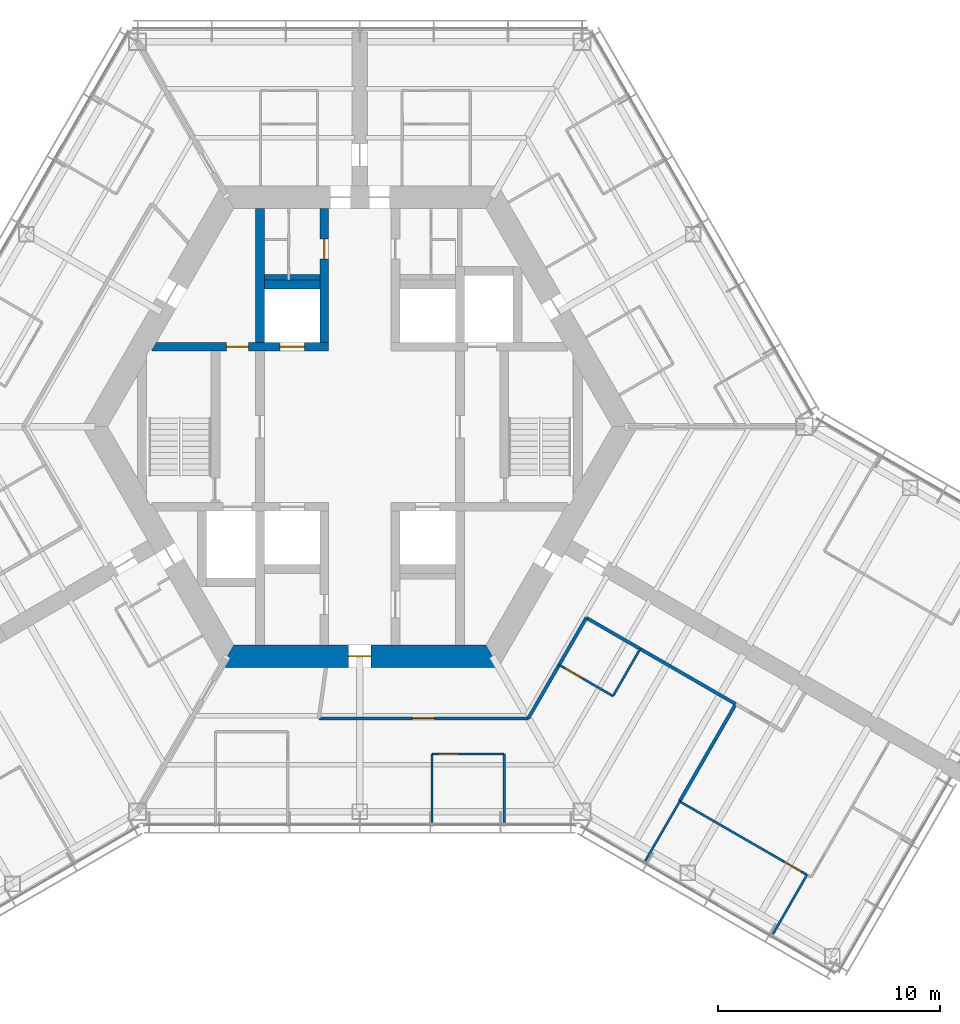
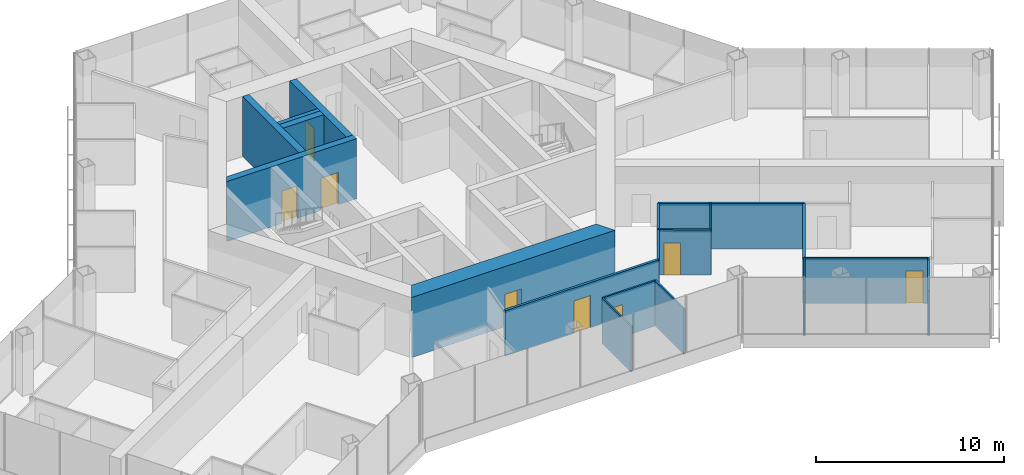
# One storey, part 13 of 19: 20 walls, 8 doors, 8 openings.
"""IFC4 building model written with IfcOpenShell, lengths in metres."""

from ifc_helpers import new_model, si_unit, direction, frame, frame_2d, origin, place, context, subcontext, project, spatial, polyline, rectangle, outline, extrude, material, layer, layer_set, type_object, element, fill, save


model = new_model("IFC4")

# Units and contexts
model_context = context("Model", 3, precision=1e-05, world=origin(), true_north=direction((0.0, 1.0)))
body_context = subcontext(model_context, "Body", "Model", "MODEL_VIEW")
ifc_project = project(units=[si_unit("LENGTHUNIT", "METRE"), si_unit("AREAUNIT", "SQUARE_METRE"), si_unit("VOLUMEUNIT", "CUBIC_METRE"), si_unit("PLANEANGLEUNIT", "RADIAN"), si_unit("MASSUNIT", "GRAM", prefix="KILO")], contexts=[model_context])

# Site, building, storey
site_placement = place(None, origin())
site = spatial("IfcSite", under=ifc_project, at=site_placement, CompositionType="ELEMENT")
building_placement = place(site_placement, origin())
building = spatial("IfcBuilding", under=site, at=building_placement, Name="Kasaneha Research Tower", CompositionType="ELEMENT")
storey_placement = place(building_placement, frame((0.0, 0.0, 160.39990234375)))
storey = spatial("IfcBuildingStorey", under=building, at=storey_placement, Name="L40", CompositionType="ELEMENT", Elevation=160.39990234375)

# Wall, openings, doors
ifc_material_1 = material(Name="Concrete Fc70", Category="concrete")
ifc_layer_1 = layer(ifc_material_1, 0.39990234375)
ifc_layer_set_1 = layer_set([ifc_layer_1], Name="Core internal wall 400 Fc70")
wall_type_1 = type_object("IfcWallType", Name="Core internal wall 400 Fc70", PredefinedType="SHEAR", material=ifc_layer_set_1)
wall_1_placement = place(storey_placement, frame((-9.266357421875, 3.60009765625, 0.0), z_axis=(0.0, 0.0, 1.0), x_axis=(1.0, 0.0, 0.0)))
wall_1 = element("IfcWall", 1, at=wall_1_placement, inside=storey, type_object=wall_type_1, Name="Core wall W1W L40", PredefinedType="SHEAR", context=body_context, shape_type="SweptSolid", body=[
    extrude(outline(polyline([(-0.115478515625, -0.199951171875), (3.266357421875, -0.199951171875), (4.266357421875, -0.199951171875), (5.66650390625, -0.199951171875), (6.7666015625, -0.199951171875), (7.866455078125, -0.199951171875), (7.866455078125, 0.199951171875), (6.7666015625, 0.199951171875), (5.66650390625, 0.199951171875), (4.266357421875, 0.199951171875), (3.266357421875, 0.199951171875), (0.115478515625, 0.199951171875), (-0.115478515625, -0.199951171875)])), origin(), (0.0, 0.0, 1.0), 3.900146484375),
])
opening_1_placement = place(wall_1_placement, frame((3.266357421875, 0.0, 0.0)))
opening_1 = element("IfcOpeningElement", 2, at=opening_1_placement, cuts=wall_1, Name="Opening L40-D12", PredefinedType="OPENING", context=body_context, shape_type="SweptSolid", body=[
    extrude(rectangle(XDim=1.0, YDim=2.10009765625, at=frame_2d((0.5, 1.050048828125))), frame((0.0, 0.2099609375, 0.0), z_axis=(0.0, -1.0, 0.0), x_axis=(1.0, 0.0, 0.0)), (0.0, 0.0, 1.0), 0.419921875),
])
opening_2_placement = place(wall_1_placement, frame((5.66650390625, 0.0, 0.0)))
opening_2 = element("IfcOpeningElement", 3, at=opening_2_placement, cuts=wall_1, Name="Opening LD-LM1-L40", PredefinedType="OPENING", context=body_context, shape_type="SweptSolid", body=[
    extrude(rectangle(XDim=1.10009765625, YDim=2.10009765625, at=frame_2d((0.550048828125, 1.050048828125))), frame((0.0, 0.2099609375, 0.0), z_axis=(0.0, -1.0, 0.0), x_axis=(1.0, 0.0, 0.0)), (0.0, 0.0, 1.0), 0.419921875),
])
ifc_material_2 = material(Name="Steel", Category="steel")
door_type_1 = type_object("IfcDoorType", Name="Lift landing door 1100x2100", OperationType="DOUBLE_DOOR_SLIDING", PredefinedType="DOOR", material=ifc_material_2)
door_1_placement = place(opening_2_placement, origin())
door_1 = element("IfcDoor", 4, at=door_1_placement, inside=storey, type_object=door_type_1, Name="Landing door LM1 LD-LM1-L40", OperationType="DOUBLE_DOOR_SLIDING", OverallHeight=2.10009765625, OverallWidth=1.10009765625, PredefinedType="DOOR", context=body_context, shape_type="SweptSolid", body=[
    extrude(rectangle(XDim=1.10009765625, YDim=2.10009765625, at=frame_2d((0.550048828125, 1.050048828125))), frame((0.0, 0.02490234375, 0.0), z_axis=(0.0, -1.0, 0.0), x_axis=(1.0, 0.0, 0.0)), (0.0, 0.0, 1.0), 0.050048828125),
])
fill(opening_2, door_1)
ifc_material_3 = material(Name="Steel", Category="steel")
door_type_2 = type_object("IfcDoorType", Name="Specified fire door FD60 1000x2100", OperationType="NOTDEFINED", PredefinedType="DOOR", material=ifc_material_3)
door_2_placement = place(opening_1_placement, origin())
door_2 = element("IfcDoor", 5, at=door_2_placement, inside=storey, type_object=door_type_2, Name="Vestibule to lobby door L40-D12", OperationType="SINGLE_SWING_LEFT", OverallHeight=2.10009765625, OverallWidth=1.0, PredefinedType="DOOR", context=body_context, shape_type="SweptSolid", body=[
    extrude(rectangle(XDim=1.0, YDim=2.10009765625, at=frame_2d((0.5, 1.050048828125))), frame((0.0, 0.02490234375, 0.0), z_axis=(0.0, -1.0, 0.0), x_axis=(1.0, 0.0, 0.0)), (0.0, 0.0, 1.0), 0.050048828125),
])
fill(opening_1, door_2)

# Wall, opening, door
wall_2_placement = place(storey_placement, frame((-1.60009765625, 3.800048828125, 0.0), z_axis=(0.0, 0.0, 1.0), x_axis=(0.0, 1.0, 0.0)))
wall_2 = element("IfcWall", 6, at=wall_2_placement, inside=storey, type_object=wall_type_1, Name="Core wall CNW L40", PredefinedType="SHEAR", context=body_context, shape_type="SweptSolid", body=[
    extrude(rectangle(XDim=6.02490234375, YDim=0.39990234375, at=frame_2d((3.012451171875, 0.0))), origin(), (0.0, 0.0, 1.0), 3.900146484375),
])
opening_3_placement = place(wall_2_placement, frame((3.75, 0.0, 0.0)))
opening_3 = element("IfcOpeningElement", 7, at=opening_3_placement, cuts=wall_2, Name="Opening L40-D13", PredefinedType="OPENING", context=body_context, shape_type="SweptSolid", body=[
    extrude(rectangle(XDim=0.89990234375, YDim=2.10009765625, at=frame_2d((0.449951171875, 1.050048828125))), frame((0.0, 0.2099609375, 0.0), z_axis=(0.0, -1.0, 0.0), x_axis=(1.0, 0.0, 0.0)), (0.0, 0.0, 1.0), 0.419921875),
])
ifc_material_4 = material(Name="Steel", Category="steel")
door_type_3 = type_object("IfcDoorType", Name="Toilet door FD20 900x2100", OperationType="NOTDEFINED", PredefinedType="DOOR", material=ifc_material_4)
door_3_placement = place(opening_3_placement, origin())
door_3 = element("IfcDoor", 8, at=door_3_placement, inside=storey, type_object=door_type_3, Name="Men's WC door L40-D13", OperationType="SINGLE_SWING_LEFT", OverallHeight=2.10009765625, OverallWidth=0.89990234375, PredefinedType="DOOR", context=body_context, shape_type="SweptSolid", body=[
    extrude(rectangle(XDim=0.89990234375, YDim=2.10009765625, at=frame_2d((0.449951171875, 1.050048828125))), frame((0.0, 0.02490234375, 0.0), z_axis=(0.0, -1.0, 0.0), x_axis=(1.0, 0.0, 0.0)), (0.0, 0.0, 1.0), 0.050048828125),
])
fill(opening_3, door_3)

# Walls
wall_3_placement = place(storey_placement, frame((-4.5, 3.800048828125, 0.0), z_axis=(0.0, 0.0, 1.0), x_axis=(0.0, 1.0, 0.0)))
element("IfcWall", 9, at=wall_3_placement, inside=storey, type_object=wall_type_1, Name="Core wall VNW L40", PredefinedType="SHEAR", context=body_context, shape_type="SweptSolid", body=[
    extrude(rectangle(XDim=6.02490234375, YDim=0.39990234375, at=frame_2d((3.012451171875, 0.0))), origin(), (0.0, 0.0, 1.0), 3.900146484375),
])
wall_4_placement = place(storey_placement, frame((-4.300048828125, 6.39990234375, 0.0), z_axis=(0.0, 0.0, 1.0), x_axis=(1.0, 0.0, 0.0)))
element("IfcWall", 10, at=wall_4_placement, inside=storey, type_object=wall_type_1, Name="Core wall N1N L40", PredefinedType="SHEAR", context=body_context, shape_type="SweptSolid", body=[
    extrude(rectangle(XDim=2.5, YDim=0.39990234375, at=frame_2d((1.25, 0.0))), origin(), (0.0, 0.0, 1.0), 3.900146484375),
])

# Wall, opening, door
ifc_material_5 = material(Name="Concrete Fc70", Category="concrete")
ifc_layer_2 = layer(ifc_material_5, 1.0)
ifc_layer_set_2 = layer_set([ifc_layer_2], Name="Core wall 1000 Fc70")
wall_type_2 = type_object("IfcWallType", Name="Core wall 1000 Fc70", PredefinedType="SHEAR", material=ifc_layer_set_2)
wall_5_placement = place(storey_placement, frame((-5.961181640625, -10.324951171875, 0.0), z_axis=(0.0, 0.0, 1.0), x_axis=(1.0, 0.0, 0.0)))
wall_5 = element("IfcWall", 11, at=wall_5_placement, inside=storey, type_object=wall_type_2, Name="Core wall 270 L40", PredefinedType="SHEAR", context=body_context, shape_type="SweptSolid", body=[
    extrude(outline(polyline([(-0.28857421875, -0.5), (5.461181640625, -0.5), (6.461181640625, -0.5), (12.2109375, -0.5), (11.6337890625, 0.5), (6.461181640625, 0.5), (5.461181640625, 0.5), (0.28857421875, 0.5), (-0.28857421875, -0.5)])), origin(), (0.0, 0.0, 1.0), 3.900146484375),
])
opening_4_placement = place(wall_5_placement, frame((5.461181640625, 0.0, 0.0)))
opening_4 = element("IfcOpeningElement", 12, at=opening_4_placement, cuts=wall_5, Name="Opening L40-D03", PredefinedType="OPENING", context=body_context, shape_type="SweptSolid", body=[
    extrude(rectangle(XDim=1.0, YDim=2.10009765625, at=frame_2d((0.5, 1.050048828125))), frame((0.0, 0.510009765625, 0.0), z_axis=(0.0, -1.0, 0.0), x_axis=(1.0, 0.0, 0.0)), (0.0, 0.0, 1.0), 1.02001953125),
])
ifc_material_6 = material(Name="Steel", Category="steel")
door_type_4 = type_object("IfcDoorType", Name="Fire door FD20 1000x2100", OperationType="NOTDEFINED", PredefinedType="DOOR", material=ifc_material_6)
door_4_placement = place(opening_4_placement, origin())
door_4 = element("IfcDoor", 13, at=door_4_placement, inside=storey, type_object=door_type_4, Name="Core door south L40-D03", OperationType="SINGLE_SWING_LEFT", OverallHeight=2.10009765625, OverallWidth=1.0, PredefinedType="DOOR", context=body_context, shape_type="SweptSolid", body=[
    extrude(rectangle(XDim=1.0, YDim=2.10009765625, at=frame_2d((0.5, 1.050048828125))), frame((0.0, 0.02490234375, 0.0), z_axis=(0.0, -1.0, 0.0), x_axis=(1.0, 0.0, 0.0)), (0.0, 0.0, 1.0), 0.050048828125),
])
fill(opening_4, door_4)

ifc_material_7 = material(Name="Gypsum board on steel studs, one layer each side", Category="steel")
ifc_layer_3 = layer(ifc_material_7, 0.10009765625)
ifc_layer_set_3 = layer_set([ifc_layer_3], Name="Office partition 100")
wall_type_3 = type_object("IfcWallType", Name="Office partition 100", PredefinedType="PARTITIONING", material=ifc_layer_set_3)
wall_6_placement = place(storey_placement, frame((11.3916015625, -12.119384765625, 0.0), z_axis=(0.0, 0.0, 1.0), x_axis=(-0.865255114713, 0.501331812737, 0.0)))
wall_6 = element("IfcWall", 14, at=wall_6_placement, inside=storey, type_object=wall_type_3, Name="Office partition FCS09 L40", PredefinedType="PARTITIONING", context=body_context, shape_type="SweptSolid", body=[
    extrude(rectangle(XDim=2.800048828125, YDim=0.10009765625, at=frame_2d((1.39990234375, 0.0))), origin(), (0.0, 0.0, 1.0), 2.9501953125),
])
opening_5_placement = place(wall_6_placement, frame((1.60009765625, 0.0, 0.0)))
opening_5 = element("IfcOpeningElement", 15, at=opening_5_placement, cuts=wall_6, Name="Opening L40-D49", PredefinedType="OPENING", context=body_context, shape_type="SweptSolid", body=[
    extrude(rectangle(XDim=0.89990234375, YDim=2.10009765625, at=frame_2d((0.449951171875, 1.050048828125))), frame((0.0, 0.06005859375, 0.0), z_axis=(0.0, -1.0, 0.0), x_axis=(1.0, 0.0, 0.0)), (0.0, 0.0, 1.0), 0.1201171875),
])
ifc_material_8 = material(Name="Timber veneer", Category="wood")
door_type_5 = type_object("IfcDoorType", Name="Office door 900x2100", OperationType="SINGLE_SWING_LEFT", PredefinedType="DOOR", material=ifc_material_8)
door_5_placement = place(opening_5_placement, origin())
door_5 = element("IfcDoor", 16, at=door_5_placement, inside=storey, type_object=door_type_5, Name="Pantry door L40-D49", OperationType="SINGLE_SWING_RIGHT", OverallHeight=2.10009765625, OverallWidth=0.89990234375, PredefinedType="DOOR", context=body_context, shape_type="SweptSolid", body=[
    extrude(rectangle(XDim=0.89990234375, YDim=2.10009765625, at=frame_2d((0.449951171875, 1.050048828125))), frame((0.0, 0.02490234375, 0.0), z_axis=(0.0, -1.0, 0.0), x_axis=(1.0, 0.0, 0.0)), (0.0, 0.0, 1.0), 0.050048828125),
])
fill(opening_5, door_5)

# Walls
wall_7_placement = place(storey_placement, frame((12.612548828125, -9.995361328125, 0.0), z_axis=(0.0, 0.0, 1.0), x_axis=(-0.498358783585, -0.86697088926, 0.0)))
element("IfcWall", 17, at=wall_7_placement, inside=storey, type_object=wall_type_3, Name="Office partition FCS10 L40", PredefinedType="PARTITIONING", context=body_context, shape_type="SweptSolid", body=[
    extrude(rectangle(XDim=2.449951171875, YDim=0.10009765625, at=frame_2d((1.22509765625, 0.0))), origin(), (0.0, 0.0, 1.0), 2.9501953125),
])
wall_8_placement = place(storey_placement, frame((20.1201171875, -20.1611328125, 0.0), z_axis=(0.0, 0.0, 1.0), x_axis=(-0.498424956379, -0.866932847952, 0.0)))
element("IfcWall", 18, at=wall_8_placement, inside=storey, type_object=wall_type_3, Name="Office partition FCS11 L40", PredefinedType="PARTITIONING", context=body_context, shape_type="SweptSolid", body=[
    extrude(rectangle(XDim=3.080078125, YDim=0.10009765625, at=frame_2d((1.5400390625, 0.0))), origin(), (0.0, 0.0, 1.0), 2.9501953125),
])
wall_9_placement = place(storey_placement, frame((12.839599609375, -19.543212890625, 0.0), z_axis=(0.0, 0.0, 1.0), x_axis=(0.501312084577, 0.865266544977, 0.0)))
element("IfcWall", 19, at=wall_9_placement, inside=storey, type_object=wall_type_3, Name="Office partition FCS12 L40", PredefinedType="PARTITIONING", context=body_context, shape_type="SweptSolid", body=[
    extrude(rectangle(XDim=3.105224609375, YDim=0.10009765625, at=frame_2d((1.552734375, 0.0))), origin(), (0.0, 0.0, 1.0), 2.9501953125),
])

# Wall, opening, door
wall_10_placement = place(storey_placement, frame((14.389892578125, -16.85791015625, 0.0), z_axis=(0.0, 0.0, 1.0), x_axis=(0.866056005776, -0.49994699205, 0.0)))
wall_10 = element("IfcWall", 20, at=wall_10_placement, inside=storey, type_object=wall_type_3, Name="Office partition FCS13 L40", PredefinedType="PARTITIONING", context=body_context, shape_type="SweptSolid", body=[
    extrude(rectangle(XDim=6.619873046875, YDim=0.10009765625, at=frame_2d((3.31005859375, 0.0))), origin(), (0.0, 0.0, 1.0), 2.9501953125),
])
opening_6_placement = place(wall_10_placement, frame((5.419677734375, 0.0, 0.0)))
opening_6 = element("IfcOpeningElement", 21, at=opening_6_placement, cuts=wall_10, Name="Opening L40-D50", PredefinedType="OPENING", context=body_context, shape_type="SweptSolid", body=[
    extrude(rectangle(XDim=0.89990234375, YDim=2.10009765625, at=frame_2d((0.449951171875, 1.050048828125))), frame((0.0, 0.06005859375, 0.0), z_axis=(0.0, -1.0, 0.0), x_axis=(1.0, 0.0, 0.0)), (0.0, 0.0, 1.0), 0.1201171875),
])
door_6_placement = place(opening_6_placement, origin())
door_6 = element("IfcDoor", 22, at=door_6_placement, inside=storey, type_object=door_type_5, Name="Manager's office door L40-D50", OperationType="SINGLE_SWING_RIGHT", OverallHeight=2.10009765625, OverallWidth=0.89990234375, PredefinedType="DOOR", context=body_context, shape_type="SweptSolid", body=[
    extrude(rectangle(XDim=0.89990234375, YDim=2.10009765625, at=frame_2d((0.449951171875, 1.050048828125))), frame((0.0, 0.02490234375, 0.0), z_axis=(0.0, -1.0, 0.0), x_axis=(1.0, 0.0, 0.0)), (0.0, 0.0, 1.0), 0.050048828125),
])
fill(opening_6, door_6)

# Wall
wall_11_placement = place(storey_placement, frame((3.246337890625, -17.800537109375, 0.0), z_axis=(0.0, 0.0, 1.0), x_axis=(0.0, 1.0, 0.0)))
element("IfcWall", 23, at=wall_11_placement, inside=storey, type_object=wall_type_3, Name="Office partition FCS20 L40", PredefinedType="PARTITIONING", context=body_context, shape_type="SweptSolid", body=[
    extrude(rectangle(XDim=3.080078125, YDim=0.10009765625, at=frame_2d((1.5400390625, 0.0))), origin(), (0.0, 0.0, 1.0), 2.9501953125),
])

# Wall, opening, door
wall_12_placement = place(storey_placement, frame((3.246337890625, -14.720458984375, 0.0), z_axis=(0.0, 0.0, 1.0), x_axis=(1.0, 0.0, 0.0)))
wall_12 = element("IfcWall", 24, at=wall_12_placement, inside=storey, type_object=wall_type_3, Name="Office partition FCS21 L40", PredefinedType="PARTITIONING", context=body_context, shape_type="SweptSolid", body=[
    extrude(rectangle(XDim=3.24658203125, YDim=0.10009765625, at=frame_2d((1.623291015625, 0.0))), origin(), (0.0, 0.0, 1.0), 2.9501953125),
])
opening_7_placement = place(wall_12_placement, frame((0.300048828125, 0.0, 0.0)))
opening_7 = element("IfcOpeningElement", 25, at=opening_7_placement, cuts=wall_12, Name="Opening L40-D54", PredefinedType="OPENING", context=body_context, shape_type="SweptSolid", body=[
    extrude(rectangle(XDim=0.89990234375, YDim=2.10009765625, at=frame_2d((0.449951171875, 1.050048828125))), frame((0.0, 0.06005859375, 0.0), z_axis=(0.0, -1.0, 0.0), x_axis=(1.0, 0.0, 0.0)), (0.0, 0.0, 1.0), 0.1201171875),
])
door_7_placement = place(opening_7_placement, origin())
door_7 = element("IfcDoor", 26, at=door_7_placement, inside=storey, type_object=door_type_5, Name="Phone room door L40-D54", OperationType="SINGLE_SWING_LEFT", OverallHeight=2.10009765625, OverallWidth=0.89990234375, PredefinedType="DOOR", context=body_context, shape_type="SweptSolid", body=[
    extrude(rectangle(XDim=0.89990234375, YDim=2.10009765625, at=frame_2d((0.449951171875, 1.050048828125))), frame((0.0, 0.02490234375, 0.0), z_axis=(0.0, -1.0, 0.0), x_axis=(1.0, 0.0, 0.0)), (0.0, 0.0, 1.0), 0.050048828125),
])
fill(opening_7, door_7)

# Walls
wall_13_placement = place(storey_placement, frame((6.492919921875, -14.720458984375, 0.0), z_axis=(0.0, 0.0, 1.0), x_axis=(0.0, -1.0, 0.0)))
element("IfcWall", 27, at=wall_13_placement, inside=storey, type_object=wall_type_3, Name="Office partition FCS22 L40", PredefinedType="PARTITIONING", context=body_context, shape_type="SweptSolid", body=[
    extrude(rectangle(XDim=3.080078125, YDim=0.10009765625, at=frame_2d((1.5400390625, 0.0))), origin(), (0.0, 0.0, 1.0), 2.9501953125),
])
ifc_material_9 = material(Name="Gypsum board on steel studs, two layers each side", Category="steel")
ifc_layer_4 = layer(ifc_material_9, 0.14990234375)
ifc_layer_set_4 = layer_set([ifc_layer_4], Name="Suite partition 150")
wall_type_4 = type_object("IfcWallType", Name="Suite partition 150", PredefinedType="PARTITIONING", material=ifc_layer_set_4)
wall_14_placement = place(storey_placement, frame((10.191650390625, -8.59765625, 0.0), z_axis=(0.0, 0.0, 1.0), x_axis=(-0.499989298045, -0.866031582473, 0.0)))
element("IfcWall", 28, at=wall_14_placement, inside=storey, type_object=wall_type_4, Name="Suite partition FCS01 L40", PredefinedType="PARTITIONING", context=body_context, shape_type="SweptSolid", body=[
    extrude(rectangle(XDim=2.455078125, YDim=0.14990234375, at=frame_2d((1.2275390625, 0.0))), origin(), (0.0, 0.0, 1.0), 2.9501953125),
])
wall_15_placement = place(storey_placement, frame((12.620849609375, -10.000244140625, 0.0), z_axis=(0.0, 0.0, 1.0), x_axis=(-0.866011654119, 0.500023814363, 0.0)))
element("IfcWall", 29, at=wall_15_placement, inside=storey, type_object=wall_type_4, Name="Suite partition FCS02 L40", PredefinedType="PARTITIONING", context=body_context, shape_type="SweptSolid", body=[
    extrude(rectangle(XDim=2.804931640625, YDim=0.14990234375, at=frame_2d((1.40234375, 0.0))), origin(), (0.0, 0.0, 1.0), 2.9501953125),
])

# Wall, opening, door
wall_16_placement = place(storey_placement, frame((7.57763671875, -13.125, 0.0), z_axis=(0.0, 0.0, 1.0), x_axis=(-1.0, 0.0, 0.0)))
wall_16 = element("IfcWall", 30, at=wall_16_placement, inside=storey, type_object=wall_type_4, Name="Suite partition FCS04 L40", PredefinedType="PARTITIONING", context=body_context, shape_type="SweptSolid", body=[
    extrude(rectangle(XDim=9.422119140625, YDim=0.14990234375, at=frame_2d((4.7109375, 0.0))), origin(), (0.0, 0.0, 1.0), 2.9501953125),
])
opening_8_placement = place(wall_16_placement, frame((4.211181640625, 0.0, 0.0)))
opening_8 = element("IfcOpeningElement", 31, at=opening_8_placement, cuts=wall_16, Name="Opening L40-D47", PredefinedType="OPENING", context=body_context, shape_type="SweptSolid", body=[
    extrude(rectangle(XDim=1.0, YDim=2.10009765625, at=frame_2d((0.5, 1.050048828125))), frame((0.0, 0.0849609375, 0.0), z_axis=(0.0, -1.0, 0.0), x_axis=(1.0, 0.0, 0.0)), (0.0, 0.0, 1.0), 0.169921875),
])
ifc_material_10 = material(Name="Steel", Category="steel")
door_type_6 = type_object("IfcDoorType", Name="Suite entrance door FD60 1000x2100", OperationType="NOTDEFINED", PredefinedType="DOOR", material=ifc_material_10)
door_8_placement = place(opening_8_placement, origin())
door_8 = element("IfcDoor", 32, at=door_8_placement, inside=storey, type_object=door_type_6, Name="Suite entrance door L40-D47", OperationType="SINGLE_SWING_LEFT", OverallHeight=2.10009765625, OverallWidth=1.0, PredefinedType="DOOR", context=body_context, shape_type="SweptSolid", body=[
    extrude(rectangle(XDim=1.0, YDim=2.10009765625, at=frame_2d((0.5, 1.050048828125))), frame((0.0, 0.02490234375, 0.0), z_axis=(0.0, -1.0, 0.0), x_axis=(1.0, 0.0, 0.0)), (0.0, 0.0, 1.0), 0.050048828125),
])
fill(opening_8, door_8)

# Walls
wall_17_placement = place(storey_placement, frame((8.96875, -10.715576171875, 0.0), z_axis=(0.0, 0.0, 1.0), x_axis=(-0.500008568482, -0.866020456713, 0.0)))
element("IfcWall", 33, at=wall_17_placement, inside=storey, type_object=wall_type_4, Name="Suite partition FCS05 L40", PredefinedType="PARTITIONING", context=body_context, shape_type="SweptSolid", body=[
    extrude(rectangle(XDim=2.7822265625, YDim=0.14990234375, at=frame_2d((1.39111328125, 0.0))), origin(), (0.0, 0.0, 1.0), 2.9501953125),
])
wall_18_placement = place(storey_placement, frame((16.92138671875, -12.483154296875, 0.0), z_axis=(0.0, 0.0, 1.0), x_axis=(-0.866018071205, 0.500012700186, 0.0)))
element("IfcWall", 34, at=wall_18_placement, inside=storey, type_object=wall_type_4, Name="Suite partition FCS06 L40", PredefinedType="PARTITIONING", context=body_context, shape_type="SweptSolid", body=[
    extrude(rectangle(XDim=4.975341796875, YDim=0.14990234375, at=frame_2d((2.48779296875, 0.0))), origin(), (0.0, 0.0, 1.0), 2.9501953125),
])
wall_19_placement = place(storey_placement, frame((16.91259765625, -12.478515625, 0.0), z_axis=(0.0, 0.0, 1.0), x_axis=(-0.499184300032, -0.866495836459, 0.0)))
element("IfcWall", 35, at=wall_19_placement, inside=storey, type_object=wall_type_4, Name="Suite partition FCS23 L40", PredefinedType="PARTITIONING", context=body_context, shape_type="SweptSolid", body=[
    extrude(rectangle(XDim=5.05419921875, YDim=0.14990234375, at=frame_2d((2.527099609375, 0.0))), origin(), (0.0, 0.0, 1.0), 2.9501953125),
])
ifc_material_11 = material(Name="Concrete block lining", Category="concrete")
ifc_layer_5 = layer(ifc_material_11, 0.25)
ifc_layer_set_5 = layer_set([ifc_layer_5], Name="WC plumbing wall 250")
wall_type_5 = type_object("IfcWallType", Name="WC plumbing wall 250", PredefinedType="PLUMBINGWALL", material=ifc_layer_set_5)
wall_20_placement = place(storey_placement, frame((-4.300048828125, 6.72509765625, 0.0), z_axis=(0.0, 0.0, 1.0), x_axis=(1.0, 0.0, 0.0)))
element("IfcWall", 36, at=wall_20_placement, inside=storey, type_object=wall_type_5, Name="WC plumbing wall M L40", PredefinedType="PLUMBINGWALL", context=body_context, shape_type="SweptSolid", body=[
    extrude(rectangle(XDim=2.5, YDim=0.25, at=frame_2d((1.25, 0.0))), origin(), (0.0, 0.0, 1.0), 3.900146484375),
])

save(model, "model.ifc")
